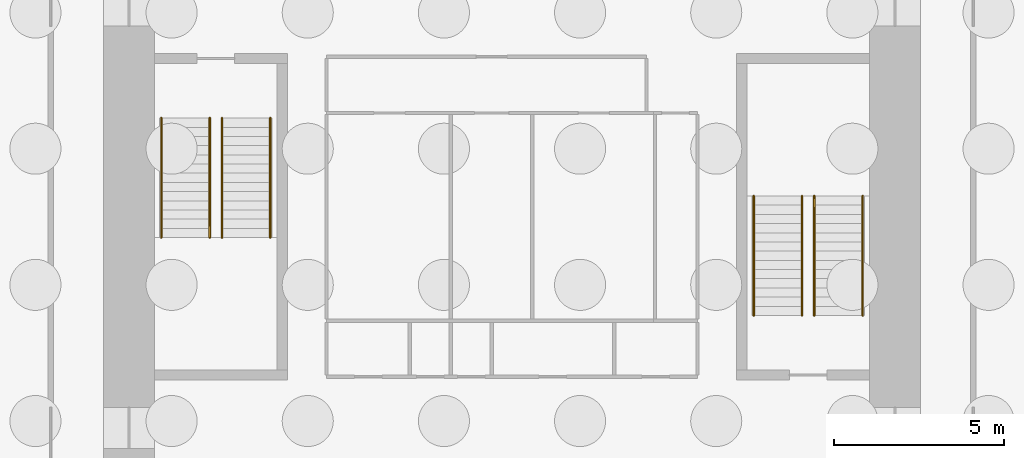
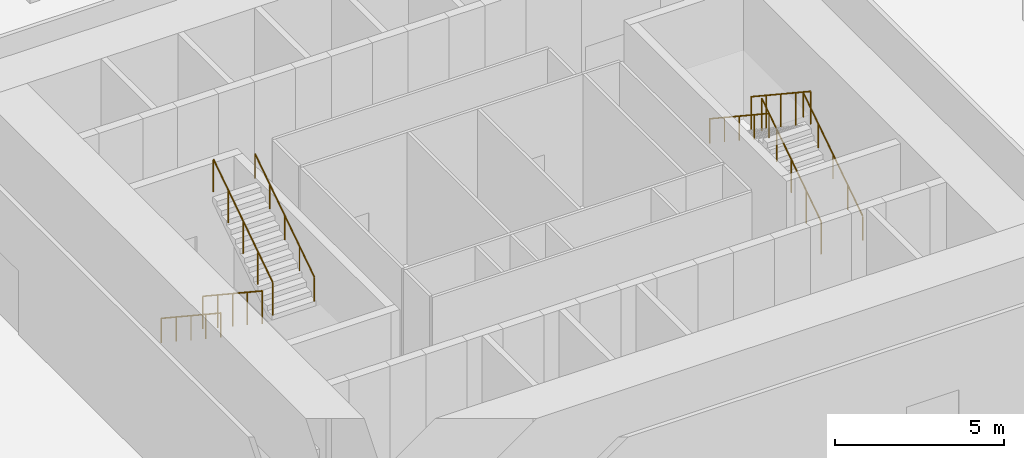
# One storey, part 7 of 8: 8 railings.
"""IFC4 building model written with IfcOpenShell, lengths in metres."""

from ifc_helpers import new_model, si_unit, direction, frame, origin, origin_2d, place, context, subcontext, project, spatial, circle, extrude, material, type_object, element, save


model = new_model("IFC4")

# Units and contexts
model_context = context("Model", 3, precision=1e-05, world=origin(), true_north=direction((0.0, 1.0)))
body_context = subcontext(model_context, "Body", "Model", "MODEL_VIEW")
ifc_project = project(units=[si_unit("LENGTHUNIT", "METRE"), si_unit("AREAUNIT", "SQUARE_METRE"), si_unit("VOLUMEUNIT", "CUBIC_METRE"), si_unit("PLANEANGLEUNIT", "RADIAN"), si_unit("MASSUNIT", "GRAM", prefix="KILO")], contexts=[model_context])

# Site, building, storey
site_placement = place(None, origin())
site = spatial("IfcSite", under=ifc_project, at=site_placement, CompositionType="ELEMENT")
building_placement = place(site_placement, origin())
building = spatial("IfcBuilding", under=site, at=building_placement, Name="Peilmerk Tower", CompositionType="ELEMENT")
storey_placement = place(building_placement, frame((0.0, 0.0, -5.0)))
storey = spatial("IfcBuildingStorey", under=building, at=storey_placement, Name="B-01", CompositionType="ELEMENT", Elevation=-5.0)

# Railings
ifc_material_1 = material(Name="Steel flat bar balustrade", Category="steel")
railing_type_1 = type_object("IfcRailingType", Name="GR1 1200 stair guard", PredefinedType="GUARDRAIL", material=ifc_material_1)
railing_1_placement = place(storey_placement, frame((-8.8798828125, 2.89990234375, 0.178466796875)))
element("IfcRailing", 1, at=railing_1_placement, inside=storey, type_object=railing_type_1, Name="Guard stair 1 B-01", PredefinedType="GUARDRAIL", context=body_context, shape_type="SweptSolid", body=[
    extrude(circle(Radius=0.02392578125, at=origin_2d()), frame((0.0, 0.0, 1.17578125), z_axis=(0.0, -0.834070780157, 0.551657442339), x_axis=(1.0, 0.0, 0.0)), (0.0, 0.0, 1.0), 4.208251953125),
    extrude(circle(Radius=0.02099609375, at=origin_2d()), origin(), (0.0, 0.0, 1.0), 1.15185546875),
    extrude(circle(Radius=0.02099609375, at=origin_2d()), frame((0.0, -0.87744140625, 0.580322265625)), (0.0, 0.0, 1.0), 1.15185546875),
    extrude(circle(Radius=0.02099609375, at=origin_2d()), frame((0.0, -1.7548828125, 1.16064453125)), (0.0, 0.0, 1.0), 1.15185546875),
    extrude(circle(Radius=0.02099609375, at=origin_2d()), frame((0.0, -2.632568359375, 1.7412109375)), (0.0, 0.0, 1.0), 1.15185546875),
    extrude(circle(Radius=0.02099609375, at=origin_2d()), frame((0.0, -3.510009765625, 2.321533203125)), (0.0, 0.0, 1.0), 1.15185546875),
])
for number, where, name in (
    (2, (-8.52001953125, -0.610107421875, 2.678466796875), "Guard stair 1 B-01"),
    (3, (8.8798828125, -2.89990234375, 0.178466796875), "Guard stair 2 B-01"),
):
    element("IfcRailing", number, at=place(storey_placement, frame(where)), inside=storey, type_object=railing_type_1, Name=name, PredefinedType="GUARDRAIL", context=body_context, shape_type="SweptSolid", body=[
        extrude(circle(Radius=0.02392578125, at=origin_2d()), frame((0.0, 0.0, 1.17578125), z_axis=(0.0, 0.834070780157, 0.551657442339), x_axis=(-1.0, 0.0, 0.0)), (0.0, 0.0, 1.0), 4.208251953125),
        extrude(circle(Radius=0.02099609375, at=origin_2d()), origin(), (0.0, 0.0, 1.0), 1.15185546875),
        extrude(circle(Radius=0.02099609375, at=origin_2d()), frame((0.0, 0.87744140625, 0.580322265625)), (0.0, 0.0, 1.0), 1.15185546875),
        extrude(circle(Radius=0.02099609375, at=origin_2d()), frame((0.0, 1.7548828125, 1.16064453125)), (0.0, 0.0, 1.0), 1.15185546875),
        extrude(circle(Radius=0.02099609375, at=origin_2d()), frame((0.0, 2.632568359375, 1.7412109375)), (0.0, 0.0, 1.0), 1.15185546875),
        extrude(circle(Radius=0.02099609375, at=origin_2d()), frame((0.0, 3.510009765625, 2.321533203125)), (0.0, 0.0, 1.0), 1.15185546875),
    ])
railing_2_placement = place(storey_placement, frame((8.52001953125, 0.610107421875, 2.678466796875)))
element("IfcRailing", 4, at=railing_2_placement, inside=storey, type_object=railing_type_1, Name="Guard stair 2 B-01", PredefinedType="GUARDRAIL", context=body_context, shape_type="SweptSolid", body=[
    extrude(circle(Radius=0.02392578125, at=origin_2d()), frame((0.0, 0.0, 1.17578125), z_axis=(0.0, -0.834070780157, 0.551657442339), x_axis=(1.0, 0.0, 0.0)), (0.0, 0.0, 1.0), 4.208251953125),
    extrude(circle(Radius=0.02099609375, at=origin_2d()), origin(), (0.0, 0.0, 1.0), 1.15185546875),
    extrude(circle(Radius=0.02099609375, at=origin_2d()), frame((0.0, -0.87744140625, 0.580322265625)), (0.0, 0.0, 1.0), 1.15185546875),
    extrude(circle(Radius=0.02099609375, at=origin_2d()), frame((0.0, -1.7548828125, 1.16064453125)), (0.0, 0.0, 1.0), 1.15185546875),
    extrude(circle(Radius=0.02099609375, at=origin_2d()), frame((0.0, -2.632568359375, 1.7412109375)), (0.0, 0.0, 1.0), 1.15185546875),
    extrude(circle(Radius=0.02099609375, at=origin_2d()), frame((0.0, -3.510009765625, 2.321533203125)), (0.0, 0.0, 1.0), 1.15185546875),
])
ifc_material_2 = material(Name="Stainless steel tube", Category="steel")
railing_type_2 = type_object("IfcRailingType", Name="HR1 900 stair handrail", PredefinedType="HANDRAIL", material=ifc_material_2)
railing_3_placement = place(storey_placement, frame((-10.300048828125, 2.89990234375, 0.178466796875)))
element("IfcRailing", 5, at=railing_3_placement, inside=storey, type_object=railing_type_2, Name="Handrail stair 1 B-01", PredefinedType="HANDRAIL", context=body_context, shape_type="SweptSolid", body=[
    extrude(circle(Radius=0.02392578125, at=origin_2d()), frame((0.0, 0.0, 0.8759765625), z_axis=(0.0, -0.834070780157, 0.551657442339), x_axis=(1.0, 0.0, 0.0)), (0.0, 0.0, 1.0), 4.208251953125),
    extrude(circle(Radius=0.02099609375, at=origin_2d()), origin(), (0.0, 0.0, 1.0), 0.851806640625),
    extrude(circle(Radius=0.02099609375, at=origin_2d()), frame((0.0, -0.87744140625, 0.580322265625)), (0.0, 0.0, 1.0), 0.851806640625),
    extrude(circle(Radius=0.02099609375, at=origin_2d()), frame((0.0, -1.7548828125, 1.16064453125)), (0.0, 0.0, 1.0), 0.851806640625),
    extrude(circle(Radius=0.02099609375, at=origin_2d()), frame((0.0, -2.632568359375, 1.7412109375)), (0.0, 0.0, 1.0), 0.851806640625),
    extrude(circle(Radius=0.02099609375, at=origin_2d()), frame((0.0, -3.510009765625, 2.321533203125)), (0.0, 0.0, 1.0), 0.851806640625),
])
for number, where, name in (
    (6, (-7.10009765625, -0.610107421875, 2.678466796875), "Handrail stair 1 B-01"),
    (7, (10.300048828125, -2.89990234375, 0.178466796875), "Handrail stair 2 B-01"),
):
    element("IfcRailing", number, at=place(storey_placement, frame(where)), inside=storey, type_object=railing_type_2, Name=name, PredefinedType="HANDRAIL", context=body_context, shape_type="SweptSolid", body=[
        extrude(circle(Radius=0.02392578125, at=origin_2d()), frame((0.0, 0.0, 0.8759765625), z_axis=(0.0, 0.834070780157, 0.551657442339), x_axis=(-1.0, 0.0, 0.0)), (0.0, 0.0, 1.0), 4.208251953125),
        extrude(circle(Radius=0.02099609375, at=origin_2d()), origin(), (0.0, 0.0, 1.0), 0.851806640625),
        extrude(circle(Radius=0.02099609375, at=origin_2d()), frame((0.0, 0.87744140625, 0.580322265625)), (0.0, 0.0, 1.0), 0.851806640625),
        extrude(circle(Radius=0.02099609375, at=origin_2d()), frame((0.0, 1.7548828125, 1.16064453125)), (0.0, 0.0, 1.0), 0.851806640625),
        extrude(circle(Radius=0.02099609375, at=origin_2d()), frame((0.0, 2.632568359375, 1.7412109375)), (0.0, 0.0, 1.0), 0.851806640625),
        extrude(circle(Radius=0.02099609375, at=origin_2d()), frame((0.0, 3.510009765625, 2.321533203125)), (0.0, 0.0, 1.0), 0.851806640625),
    ])
railing_4_placement = place(storey_placement, frame((7.10009765625, 0.610107421875, 2.678466796875)))
element("IfcRailing", 8, at=railing_4_placement, inside=storey, type_object=railing_type_2, Name="Handrail stair 2 B-01", PredefinedType="HANDRAIL", context=body_context, shape_type="SweptSolid", body=[
    extrude(circle(Radius=0.02392578125, at=origin_2d()), frame((0.0, 0.0, 0.8759765625), z_axis=(0.0, -0.834070780157, 0.551657442339), x_axis=(1.0, 0.0, 0.0)), (0.0, 0.0, 1.0), 4.208251953125),
    extrude(circle(Radius=0.02099609375, at=origin_2d()), origin(), (0.0, 0.0, 1.0), 0.851806640625),
    extrude(circle(Radius=0.02099609375, at=origin_2d()), frame((0.0, -0.87744140625, 0.580322265625)), (0.0, 0.0, 1.0), 0.851806640625),
    extrude(circle(Radius=0.02099609375, at=origin_2d()), frame((0.0, -1.7548828125, 1.16064453125)), (0.0, 0.0, 1.0), 0.851806640625),
    extrude(circle(Radius=0.02099609375, at=origin_2d()), frame((0.0, -2.632568359375, 1.7412109375)), (0.0, 0.0, 1.0), 0.851806640625),
    extrude(circle(Radius=0.02099609375, at=origin_2d()), frame((0.0, -3.510009765625, 2.321533203125)), (0.0, 0.0, 1.0), 0.851806640625),
])

save(model, "model.ifc")
